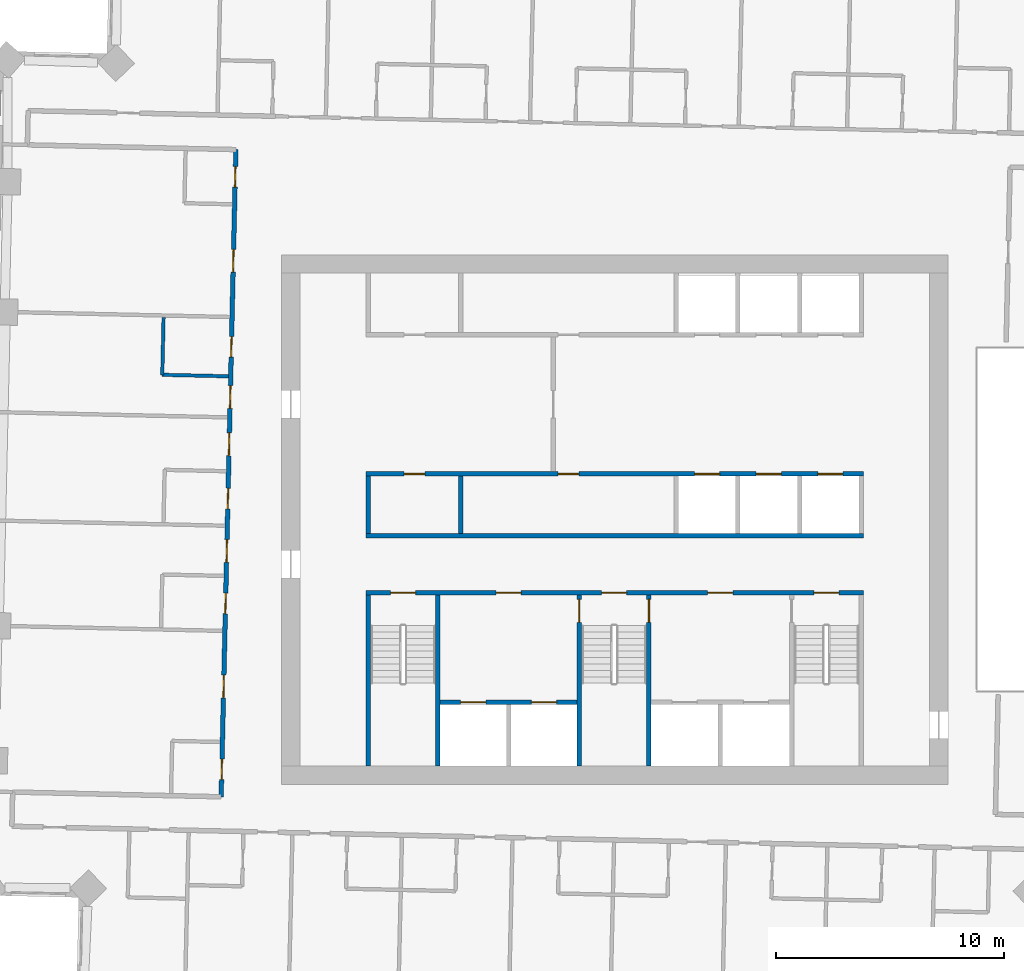
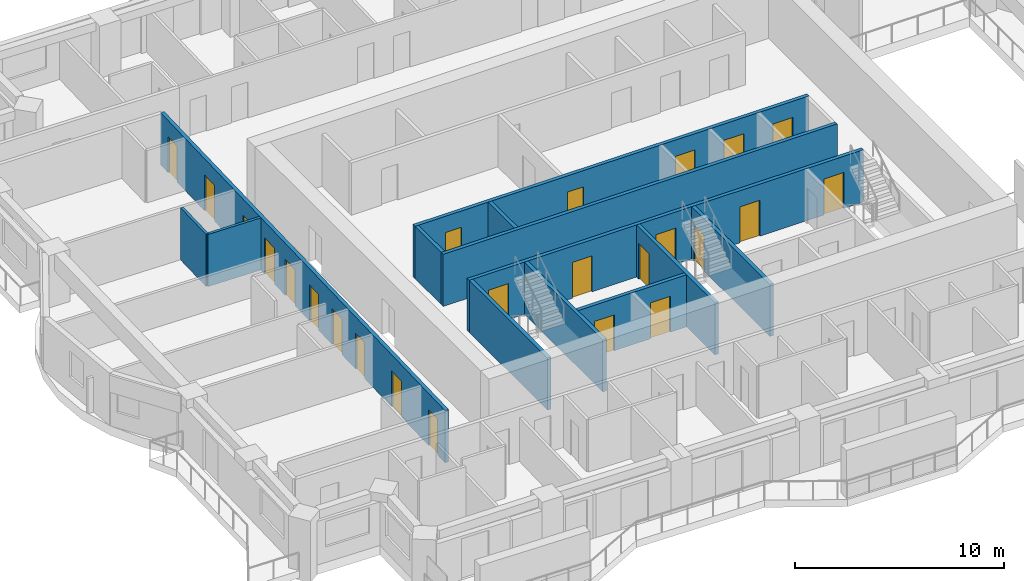
# One storey, part 6 of 14: 24 doors, 13 walls, 24 openings.
"""IFC4 building model written with IfcOpenShell, lengths in metres."""

import ifcopenshell
import ifcopenshell.guid

model = None  # the IFC model being written
_history = None  # IfcOwnerHistory: only IFC2X3 demands one
_inside = {}  # id of a spatial element -> (the spatial element, [elements in it])
_under = {}  # id of a project, library or spatial element -> (it, [spatial elements below it])
_declared = {}  # id of a project -> (the project, [libraries it declares])
_typed = {}  # id of a type object -> (the type object, [elements of that type])
_made_of = {}  # id of a material, layer set ... -> (it, [elements and type objects made of it])


def new_model(schema):
    """Start an empty IFC model of exactly this schema.

    Asked for "IFC4X3", IfcOpenShell would pick the latest addendum, in which some entities
    have other attributes; the version numbers below select the first issue.
    IFC2X3 requires an IfcOwnerHistory on every rooted entity: one is made here for all.
    """
    global model, _history
    if schema == "IFC4X3":
        model = ifcopenshell.file(schema_version=(4, 3, 0, 0))
    else:
        model = ifcopenshell.file(schema=schema)
    _inside.clear()
    _under.clear()
    _declared.clear()
    _typed.clear()
    _made_of.clear()
    _history = None
    if model.schema == "IFC2X3":
        org = make("IfcOrganization", Name="unknown")
        user = make(
            "IfcPersonAndOrganization",
            ThePerson=make("IfcPerson", FamilyName="unknown"),
            TheOrganization=org,
        )
        app = make(
            "IfcApplication",
            ApplicationDeveloper=org,
            Version="unknown",
            ApplicationFullName="unknown",
            ApplicationIdentifier="unknown",
        )
        _history = make(
            "IfcOwnerHistory",
            OwningUser=user,
            OwningApplication=app,
            ChangeAction="ADDED",
            CreationDate=0,
        )
    return model


def make(cls, **values):
    """One entity of the class cls with the attributes given. An attribute that is None is left unset."""
    return model.create_entity(
        cls, **{name: value for name, value in values.items() if value is not None}
    )


def rooted(cls, **values):
    """An entity with a GlobalId (a new one), such as an element, a storey or a relation."""
    return make(cls, GlobalId=ifcopenshell.guid.new(), OwnerHistory=_history, **values)


def si_unit(unit_type, name, prefix=None):
    """IfcSIUnit, for example si_unit("LENGTHUNIT", "METRE", prefix="MILLI")."""
    return make("IfcSIUnit", UnitType=unit_type, Prefix=prefix, Name=name)


def assignment(units):
    """IfcUnitAssignment: the units of a project."""
    return None if units is None else make("IfcUnitAssignment", Units=units)


def point(xyz):
    """IfcCartesianPoint."""
    return None if xyz is None else make("IfcCartesianPoint", Coordinates=xyz)


def direction(xyz):
    """IfcDirection."""
    return None if xyz is None else make("IfcDirection", DirectionRatios=xyz)


def frame(location, z_axis=None, x_axis=None):
    """IfcAxis2Placement3D, a coordinate frame: its origin and axes. An axis left out is left unset."""
    return make(
        "IfcAxis2Placement3D",
        Location=point(location),
        Axis=direction(z_axis),
        RefDirection=direction(x_axis),
    )


def frame_2d(location, x_axis=None):
    """IfcAxis2Placement2D, a coordinate frame in the plane: its origin and x axis."""
    return make(
        "IfcAxis2Placement2D", Location=point(location), RefDirection=direction(x_axis)
    )


def origin():
    """The frame at (0, 0, 0) with its axes left unset."""
    return frame((0.0, 0.0, 0.0))


def place(relative_to, where):
    """IfcLocalPlacement: puts the frame where relative to a parent placement (None: the world)."""
    return make(
        "IfcLocalPlacement", PlacementRelTo=relative_to, RelativePlacement=where
    )


def context(
    kind, dimensions, precision=None, world=None, true_north=None, identifier=None
):
    """IfcGeometricRepresentationContext, for example the 3D "Model" context."""
    return make(
        "IfcGeometricRepresentationContext",
        ContextIdentifier=identifier,
        ContextType=kind,
        CoordinateSpaceDimension=dimensions,
        Precision=precision,
        WorldCoordinateSystem=world,
        TrueNorth=true_north,
    )


def subcontext(parent, identifier, kind, view, scale=None):
    """IfcGeometricRepresentationSubContext, for example "Body" below "Model"."""
    return make(
        "IfcGeometricRepresentationSubContext",
        ContextIdentifier=identifier,
        ContextType=kind,
        ParentContext=parent,
        TargetScale=scale,
        TargetView=view,
    )


def project(units=None, contexts=None):
    """IfcProject with its units and contexts."""
    return rooted(
        "IfcProject",
        Name="project",
        RepresentationContexts=contexts,
        UnitsInContext=assignment(units),
    )


def spatial(cls, under=None, at=None, **own):
    """A site, building, storey or space (cls), placed at a placement, below another one or the project."""
    s = rooted(cls, ObjectPlacement=at, **own)
    if under is not None:
        _under.setdefault(under.id(), (under, []))[1].append(s)
    return s


def profile(cls, at=None, kind="AREA", **sizes):
    """A parametric profile (cls). Its sizes go by their IFC names, for example OverallWidth=200.0."""
    return make(cls, ProfileType=kind, Position=at, **sizes)


def rectangle(**sizes):
    """IfcRectangleProfileDef."""
    return profile("IfcRectangleProfileDef", **sizes)


def extrude(swept, where, along, depth):
    """IfcExtrudedAreaSolid: the profile swept, set in the frame where, extruded along a direction by depth."""
    return make(
        "IfcExtrudedAreaSolid",
        SweptArea=swept,
        Position=where,
        ExtrudedDirection=direction(along),
        Depth=depth,
    )


def shape(context_of_items, identifier, shape_type, items):
    """IfcShapeRepresentation: the items that make up one representation, for example the "Body"."""
    return make(
        "IfcShapeRepresentation",
        ContextOfItems=context_of_items,
        RepresentationIdentifier=identifier,
        RepresentationType=shape_type,
        Items=items,
    )


def material(Name=None, Category=None):
    """IfcMaterial."""
    return make("IfcMaterial", Name=Name, Category=Category)


def layer(
    of_material, thickness, ventilated=None, Name=None, Category=None, Priority=None
):
    """IfcMaterialLayer: one layer of a wall or slab, of a material (None: an air gap)."""
    return make(
        "IfcMaterialLayer",
        Material=of_material,
        LayerThickness=thickness,
        IsVentilated=ventilated,
        Name=Name,
        Category=Category,
        Priority=Priority,
    )


def layer_set(layers, Name=None):
    """IfcMaterialLayerSet."""
    return make("IfcMaterialLayerSet", MaterialLayers=layers, LayerSetName=Name)


def made_of(thing, what):
    """Note that an element or type object is made of a material, layer set ...; save() writes the relation."""
    if what is not None:
        _made_of.setdefault(what.id(), (what, []))[1].append(thing)
    return thing


def type_object(cls, material=None, **own):
    """A type object (cls), such as IfcWallType, which elements share."""
    return made_of(rooted(cls, **own), material)


def element(
    cls,
    number,
    at=None,
    inside=None,
    cuts=None,
    type_object=None,
    material=None,
    context=None,
    identifier="Body",
    shape_type=None,
    held_by="IfcProductDefinitionShape",
    body=None,
    shapes=None,
    **own,
):
    """One element of the class cls, such as IfcWall. Its Tag is "e" and its number.

    at: its placement. inside: the storey or other place that contains it. cuts: it is an
    opening in that element (IfcRelVoidsElement). A single representation is given by context,
    identifier, shape_type and body (its items); several are given by shapes. held_by: the class
    of the entity that holds the representations. save() writes the other relations.
    """
    e = rooted(cls, Tag="e%d" % number, ObjectPlacement=at, **own)
    if body is not None:
        shapes = [shape(context, identifier, shape_type, body)]
    if shapes is not None:
        e.Representation = make(held_by, Representations=shapes)
    if inside is not None:
        _inside.setdefault(inside.id(), (inside, []))[1].append(e)
    if cuts is not None:
        rooted(
            "IfcRelVoidsElement", RelatingBuildingElement=cuts, RelatedOpeningElement=e
        )
    if type_object is not None:
        _typed.setdefault(type_object.id(), (type_object, []))[1].append(e)
    return made_of(e, material)


def fill(opening, filler):
    """IfcRelFillsElement: the door or window that sits in an opening."""
    return rooted(
        "IfcRelFillsElement",
        RelatingOpeningElement=opening,
        RelatedBuildingElement=filler,
    )


def aggregate(whole, parts):
    """IfcRelAggregates: a whole, such as a stair, and the parts it consists of."""
    return rooted("IfcRelAggregates", RelatingObject=whole, RelatedObjects=parts)


def save(model, path):
    """Write the relations noted so far, then the file.

    IfcRelAggregates (storeys below a building ...), IfcRelContainedInSpatialStructure (elements
    in a storey), IfcRelDefinesByType, IfcRelAssociatesMaterial and IfcRelDeclares: one each for
    every whole, place, type object, material and project.
    """
    for whole, parts in _under.values():
        aggregate(whole, parts)
    for where, things in _inside.values():
        rooted(
            "IfcRelContainedInSpatialStructure",
            RelatedElements=things,
            RelatingStructure=where,
        )
    for kind, things in _typed.values():
        rooted("IfcRelDefinesByType", RelatedObjects=things, RelatingType=kind)
    for what, things in _made_of.values():
        rooted("IfcRelAssociatesMaterial", RelatedObjects=things, RelatingMaterial=what)
    for by, libraries in _declared.values():
        rooted("IfcRelDeclares", RelatingContext=by, RelatedDefinitions=libraries)
    model.write(path)


model = new_model("IFC4")

# Units and contexts
model_context = context("Model", 3, precision=1e-05, world=origin(), true_north=direction((0.0, 1.0)))
body_context = subcontext(model_context, "Body", "Model", "MODEL_VIEW")
ifc_project = project(units=[si_unit("LENGTHUNIT", "METRE"), si_unit("AREAUNIT", "SQUARE_METRE"), si_unit("VOLUMEUNIT", "CUBIC_METRE"), si_unit("PLANEANGLEUNIT", "RADIAN"), si_unit("MASSUNIT", "GRAM", prefix="KILO")], contexts=[model_context])

# Site, building, storey
site_placement = place(None, origin())
site = spatial("IfcSite", under=ifc_project, at=site_placement, CompositionType="ELEMENT")
building_placement = place(site_placement, origin())
building = spatial("IfcBuilding", under=site, at=building_placement, Name="Mangrove Gate Tower", CompositionType="ELEMENT")
storey_placement = place(building_placement, frame((0.0, 0.0, 205.10009765625)))
storey = spatial("IfcBuildingStorey", under=building, at=storey_placement, Name="L52", CompositionType="ELEMENT", Elevation=205.10009765625)

# Walls
ifc_material_1 = material(Name="Concrete C32/40", Category="concrete")
ifc_layer_1 = layer(ifc_material_1, 0.199951171875)
ifc_layer_set_1 = layer_set([ifc_layer_1], Name="Core room wall 200 C32/40")
wall_type_1 = type_object("IfcWallType", Name="Core room wall 200 C32/40", PredefinedType="STANDARD", material=ifc_layer_set_1)
for number, where, z_axis, x_axis, name in (
    (1, (-10.800048828125, -0.60009765625, 0.0), (0.0, 0.0, 1.0), (0.0, 1.0, 0.0), "WALL-L52-CORE-19"),
    (2, (-6.75, -0.60009765625, 0.0), (0.0, 0.0, 1.0), (0.0, 1.0, 0.0), "WALL-L52-CORE-20"),
):
    element("IfcWall", number, at=place(storey_placement, frame(where, z_axis=z_axis, x_axis=x_axis)), inside=storey, type_object=wall_type_1, Name=name, PredefinedType="STANDARD", context=body_context, shape_type="SweptSolid", body=[
        extrude(rectangle(XDim=2.5, YDim=0.199951171875, at=frame_2d((1.25, 0.0))), origin(), (0.0, 0.0, 1.0), 3.0498046875),
    ])
ifc_material_2 = material(Name="Concrete C60/75", Category="concrete")
ifc_layer_2 = layer(ifc_material_2, 0.199951171875)
ifc_layer_set_2 = layer_set([ifc_layer_2], Name="Core shaft wall 200 C60/75")
wall_type_2 = type_object("IfcWallType", Name="Core shaft wall 200 C60/75", PredefinedType="SHEAR", material=ifc_layer_set_2)
wall_1_placement = place(storey_placement, frame((-10.89990234375, -0.699951171875, 0.0), z_axis=(0.0, 0.0, 1.0), x_axis=(1.0, 0.0, 0.0)))
element("IfcWall", 3, at=wall_1_placement, inside=storey, type_object=wall_type_2, Name="WALL-L52-CORE-6", PredefinedType="SHEAR", context=body_context, shape_type="SweptSolid", body=[
    extrude(rectangle(XDim=21.7998046875, YDim=0.199951171875, at=frame_2d((10.89990234375, 0.0))), origin(), (0.0, 0.0, 1.0), 3.0498046875),
])

# Wall, openings, doors
wall_2_placement = place(storey_placement, frame((-10.89990234375, 2.0, 0.0), z_axis=(0.0, 0.0, 1.0), x_axis=(1.0, 0.0, 0.0)))
wall_2 = element("IfcWall", 4, at=wall_2_placement, inside=storey, type_object=wall_type_2, Name="WALL-L52-CORE-7", PredefinedType="SHEAR", context=body_context, shape_type="SweptSolid", body=[
    extrude(rectangle(XDim=21.7998046875, YDim=0.199951171875, at=frame_2d((10.89990234375, 0.0))), origin(), (0.0, 0.0, 1.0), 3.0498046875),
])
opening_1_placement = place(wall_2_placement, frame((14.39990234375, 0.0, 0.0)))
opening_1 = element("IfcOpeningElement", 5, at=opening_1_placement, cuts=wall_2, Name="Opening LD", PredefinedType="OPENING", context=body_context, shape_type="SweptSolid", body=[
    extrude(rectangle(XDim=1.10009765625, YDim=2.10009765625, at=frame_2d((0.550048828125, 1.050048828125))), frame((0.0, 0.10986328125, 0.0), z_axis=(0.0, -1.0, 0.0), x_axis=(1.0, 0.0, 0.0)), (0.0, 0.0, 1.0), 0.219970703125),
])
opening_2_placement = place(wall_2_placement, frame((17.10009765625, 0.0, 0.0)))
opening_2 = element("IfcOpeningElement", 6, at=opening_2_placement, cuts=wall_2, Name="Opening LD", PredefinedType="OPENING", context=body_context, shape_type="SweptSolid", body=[
    extrude(rectangle(XDim=1.10009765625, YDim=2.10009765625, at=frame_2d((0.550048828125, 1.050048828125))), frame((0.0, 0.10986328125, 0.0), z_axis=(0.0, -1.0, 0.0), x_axis=(1.0, 0.0, 0.0)), (0.0, 0.0, 1.0), 0.219970703125),
])
opening_3_placement = place(wall_2_placement, frame((19.800048828125, 0.0, 0.0)))
opening_3 = element("IfcOpeningElement", 7, at=opening_3_placement, cuts=wall_2, Name="Opening LD", PredefinedType="OPENING", context=body_context, shape_type="SweptSolid", body=[
    extrude(rectangle(XDim=1.10009765625, YDim=2.10009765625, at=frame_2d((0.550048828125, 1.050048828125))), frame((0.0, 0.10986328125, 0.0), z_axis=(0.0, -1.0, 0.0), x_axis=(1.0, 0.0, 0.0)), (0.0, 0.0, 1.0), 0.219970703125),
])
opening_4_placement = place(wall_2_placement, frame((1.675048828125, 0.0, 0.0)))
opening_4 = element("IfcOpeningElement", 8, at=opening_4_placement, cuts=wall_2, Name="Opening KD", PredefinedType="OPENING", context=body_context, shape_type="SweptSolid", body=[
    extrude(rectangle(XDim=0.89990234375, YDim=2.10009765625, at=frame_2d((0.449951171875, 1.050048828125))), frame((0.0, 0.10986328125, 0.0), z_axis=(0.0, -1.0, 0.0), x_axis=(1.0, 0.0, 0.0)), (0.0, 0.0, 1.0), 0.219970703125),
])
opening_5_placement = place(wall_2_placement, frame((8.425048828125, 0.0, 0.0)))
opening_5 = element("IfcOpeningElement", 9, at=opening_5_placement, cuts=wall_2, Name="Opening RD", PredefinedType="OPENING", context=body_context, shape_type="SweptSolid", body=[
    extrude(rectangle(XDim=0.89990234375, YDim=2.10009765625, at=frame_2d((0.449951171875, 1.050048828125))), frame((0.0, 0.10986328125, 0.0), z_axis=(0.0, -1.0, 0.0), x_axis=(1.0, 0.0, 0.0)), (0.0, 0.0, 1.0), 0.219970703125),
])
ifc_material_3 = material(Name="Fire-rated steel door set", Category="steel")
door_type_1 = type_object("IfcDoorType", Name="Core room door FD30S 900x2100", OperationType="SINGLE_SWING_RIGHT", PredefinedType="DOOR", material=ifc_material_3)
door_1_placement = place(opening_4_placement, origin())
door_1 = element("IfcDoor", 10, at=door_1_placement, inside=storey, type_object=door_type_1, Name="Core room door Refuse store", OperationType="SINGLE_SWING_RIGHT", OverallHeight=2.10009765625, OverallWidth=0.89990234375, PredefinedType="DOOR", context=body_context, shape_type="SweptSolid", body=[
    extrude(rectangle(XDim=0.89990234375, YDim=2.10009765625, at=frame_2d((0.449951171875, 1.050048828125))), frame((0.0, 0.02490234375, 0.0), z_axis=(0.0, -1.0, 0.0), x_axis=(1.0, 0.0, 0.0)), (0.0, 0.0, 1.0), 0.050048828125),
])
fill(opening_4, door_1)
ifc_material_4 = material(Name="Stainless steel 316", Category="steel")
door_type_2 = type_object("IfcDoorType", Name="Lift landing door 1100x2100", OperationType="SLIDING_TO_LEFT", PredefinedType="DOOR", material=ifc_material_4)
door_2_placement = place(opening_1_placement, origin())
door_2 = element("IfcDoor", 11, at=door_2_placement, inside=storey, type_object=door_type_2, Name="Landing door LD M01", OperationType="SLIDING_TO_LEFT", OverallHeight=2.10009765625, OverallWidth=1.10009765625, PredefinedType="DOOR", context=body_context, shape_type="SweptSolid", body=[
    extrude(rectangle(XDim=1.10009765625, YDim=2.10009765625, at=frame_2d((0.550048828125, 1.050048828125))), frame((0.0, 0.02490234375, 0.0), z_axis=(0.0, -1.0, 0.0), x_axis=(1.0, 0.0, 0.0)), (0.0, 0.0, 1.0), 0.050048828125),
])
fill(opening_1, door_2)
door_3_placement = place(opening_2_placement, origin())
door_3 = element("IfcDoor", 12, at=door_3_placement, inside=storey, type_object=door_type_2, Name="Landing door LD M02", OperationType="SLIDING_TO_LEFT", OverallHeight=2.10009765625, OverallWidth=1.10009765625, PredefinedType="DOOR", context=body_context, shape_type="SweptSolid", body=[
    extrude(rectangle(XDim=1.10009765625, YDim=2.10009765625, at=frame_2d((0.550048828125, 1.050048828125))), frame((0.0, 0.02490234375, 0.0), z_axis=(0.0, -1.0, 0.0), x_axis=(1.0, 0.0, 0.0)), (0.0, 0.0, 1.0), 0.050048828125),
])
fill(opening_2, door_3)
door_4_placement = place(opening_3_placement, origin())
door_4 = element("IfcDoor", 13, at=door_4_placement, inside=storey, type_object=door_type_2, Name="Landing door LD M03", OperationType="SLIDING_TO_LEFT", OverallHeight=2.10009765625, OverallWidth=1.10009765625, PredefinedType="DOOR", context=body_context, shape_type="SweptSolid", body=[
    extrude(rectangle(XDim=1.10009765625, YDim=2.10009765625, at=frame_2d((0.550048828125, 1.050048828125))), frame((0.0, 0.02490234375, 0.0), z_axis=(0.0, -1.0, 0.0), x_axis=(1.0, 0.0, 0.0)), (0.0, 0.0, 1.0), 0.050048828125),
])
fill(opening_3, door_4)
ifc_material_5 = material(Name="Fire-rated steel door set", Category="steel")
door_type_3 = type_object("IfcDoorType", Name="Riser door FD30S 900x2100", OperationType="SINGLE_SWING_LEFT", PredefinedType="DOOR", material=ifc_material_5)
door_5_placement = place(opening_5_placement, origin())
door_5 = element("IfcDoor", 14, at=door_5_placement, inside=storey, type_object=door_type_3, Name="Riser door Electrical room", OperationType="SINGLE_SWING_LEFT", OverallHeight=2.10009765625, OverallWidth=0.89990234375, PredefinedType="DOOR", context=body_context, shape_type="SweptSolid", body=[
    extrude(rectangle(XDim=0.89990234375, YDim=2.10009765625, at=frame_2d((0.449951171875, 1.050048828125))), frame((0.0, 0.02490234375, 0.0), z_axis=(0.0, -1.0, 0.0), x_axis=(1.0, 0.0, 0.0)), (0.0, 0.0, 1.0), 0.050048828125),
])
fill(opening_5, door_5)

wall_3_placement = place(storey_placement, frame((-7.64990234375, -8.0, 0.0), z_axis=(0.0, 0.0, 1.0), x_axis=(1.0, 0.0, 0.0)))
wall_3 = element("IfcWall", 15, at=wall_3_placement, inside=storey, type_object=wall_type_2, Name="WALL-L52-CORE-15", PredefinedType="SHEAR", context=body_context, shape_type="SweptSolid", body=[
    extrude(rectangle(XDim=6.0, YDim=0.199951171875, at=frame_2d((3.0, 0.0))), origin(), (0.0, 0.0, 1.0), 3.0498046875),
])
opening_6_placement = place(wall_3_placement, frame((0.89990234375, 0.0, 0.0)))
opening_6 = element("IfcOpeningElement", 16, at=opening_6_placement, cuts=wall_3, Name="Opening LD", PredefinedType="OPENING", context=body_context, shape_type="SweptSolid", body=[
    extrude(rectangle(XDim=1.10009765625, YDim=2.10009765625, at=frame_2d((0.550048828125, 1.050048828125))), frame((0.0, 0.10986328125, 0.0), z_axis=(0.0, -1.0, 0.0), x_axis=(1.0, 0.0, 0.0)), (0.0, 0.0, 1.0), 0.219970703125),
])
opening_7_placement = place(wall_3_placement, frame((4.0, 0.0, 0.0)))
opening_7 = element("IfcOpeningElement", 17, at=opening_7_placement, cuts=wall_3, Name="Opening LD", PredefinedType="OPENING", context=body_context, shape_type="SweptSolid", body=[
    extrude(rectangle(XDim=1.10009765625, YDim=2.10009765625, at=frame_2d((0.550048828125, 1.050048828125))), frame((0.0, 0.10986328125, 0.0), z_axis=(0.0, -1.0, 0.0), x_axis=(1.0, 0.0, 0.0)), (0.0, 0.0, 1.0), 0.219970703125),
])
door_6_placement = place(opening_6_placement, origin())
door_6 = element("IfcDoor", 18, at=door_6_placement, inside=storey, type_object=door_type_2, Name="Landing door LD SVL1", OperationType="SLIDING_TO_LEFT", OverallHeight=2.10009765625, OverallWidth=1.10009765625, PredefinedType="DOOR", context=body_context, shape_type="SweptSolid", body=[
    extrude(rectangle(XDim=1.10009765625, YDim=2.10009765625, at=frame_2d((0.550048828125, 1.050048828125))), frame((0.0, 0.02490234375, 0.0), z_axis=(0.0, -1.0, 0.0), x_axis=(1.0, 0.0, 0.0)), (0.0, 0.0, 1.0), 0.050048828125),
])
fill(opening_6, door_6)
door_7_placement = place(opening_7_placement, origin())
door_7 = element("IfcDoor", 19, at=door_7_placement, inside=storey, type_object=door_type_2, Name="Landing door LD SVL2", OperationType="SLIDING_TO_LEFT", OverallHeight=2.10009765625, OverallWidth=1.10009765625, PredefinedType="DOOR", context=body_context, shape_type="SweptSolid", body=[
    extrude(rectangle(XDim=1.10009765625, YDim=2.10009765625, at=frame_2d((0.550048828125, 1.050048828125))), frame((0.0, 0.02490234375, 0.0), z_axis=(0.0, -1.0, 0.0), x_axis=(1.0, 0.0, 0.0)), (0.0, 0.0, 1.0), 0.050048828125),
])
fill(opening_7, door_7)

ifc_material_6 = material(Name="Concrete C60/75", Category="concrete")
ifc_layer_3 = layer(ifc_material_6, 0.199951171875)
ifc_layer_set_3 = layer_set([ifc_layer_3], Name="Core stair wall 200 C60/75")
wall_type_3 = type_object("IfcWallType", Name="Core stair wall 200 C60/75", PredefinedType="SHEAR", material=ifc_layer_set_3)
wall_4_placement = place(storey_placement, frame((-10.89990234375, -3.199951171875, 0.0), z_axis=(0.0, 0.0, 1.0), x_axis=(1.0, 0.0, 0.0)))
wall_4 = element("IfcWall", 20, at=wall_4_placement, inside=storey, type_object=wall_type_3, Name="WALL-L52-CORE-5", PredefinedType="SHEAR", context=body_context, shape_type="SweptSolid", body=[
    extrude(rectangle(XDim=21.7998046875, YDim=0.199951171875, at=frame_2d((10.89990234375, 0.0))), origin(), (0.0, 0.0, 1.0), 3.0498046875),
])
opening_8_placement = place(wall_4_placement, frame((1.074951171875, 0.0, 0.0)))
opening_8 = element("IfcOpeningElement", 21, at=opening_8_placement, cuts=wall_4, Name="Opening STD11", PredefinedType="OPENING", context=body_context, shape_type="SweptSolid", body=[
    extrude(rectangle(XDim=1.10009765625, YDim=2.10009765625, at=frame_2d((0.550048828125, 1.050048828125))), frame((0.0, 0.10986328125, 0.0), z_axis=(0.0, -1.0, 0.0), x_axis=(1.0, 0.0, 0.0)), (0.0, 0.0, 1.0), 0.219970703125),
])
opening_9_placement = place(wall_4_placement, frame((10.324951171875, 0.0, 0.0)))
opening_9 = element("IfcOpeningElement", 22, at=opening_9_placement, cuts=wall_4, Name="Opening STD11", PredefinedType="OPENING", context=body_context, shape_type="SweptSolid", body=[
    extrude(rectangle(XDim=1.10009765625, YDim=2.10009765625, at=frame_2d((0.550048828125, 1.050048828125))), frame((0.0, 0.10986328125, 0.0), z_axis=(0.0, -1.0, 0.0), x_axis=(1.0, 0.0, 0.0)), (0.0, 0.0, 1.0), 0.219970703125),
])
opening_10_placement = place(wall_4_placement, frame((19.625, 0.0, 0.0)))
opening_10 = element("IfcOpeningElement", 23, at=opening_10_placement, cuts=wall_4, Name="Opening STD11", PredefinedType="OPENING", context=body_context, shape_type="SweptSolid", body=[
    extrude(rectangle(XDim=1.10009765625, YDim=2.10009765625, at=frame_2d((0.550048828125, 1.050048828125))), frame((0.0, 0.10986328125, 0.0), z_axis=(0.0, -1.0, 0.0), x_axis=(1.0, 0.0, 0.0)), (0.0, 0.0, 1.0), 0.219970703125),
])
opening_11_placement = place(wall_4_placement, frame((5.699951171875, 0.0, 0.0)))
opening_11 = element("IfcOpeningElement", 24, at=opening_11_placement, cuts=wall_4, Name="Opening FL", PredefinedType="OPENING", context=body_context, shape_type="SweptSolid", body=[
    extrude(rectangle(XDim=1.10009765625, YDim=2.10009765625, at=frame_2d((0.550048828125, 1.050048828125))), frame((0.0, 0.10986328125, 0.0), z_axis=(0.0, -1.0, 0.0), x_axis=(1.0, 0.0, 0.0)), (0.0, 0.0, 1.0), 0.219970703125),
])
opening_12_placement = place(wall_4_placement, frame((14.97509765625, 0.0, 0.0)))
opening_12 = element("IfcOpeningElement", 25, at=opening_12_placement, cuts=wall_4, Name="Opening FL", PredefinedType="OPENING", context=body_context, shape_type="SweptSolid", body=[
    extrude(rectangle(XDim=1.10009765625, YDim=2.10009765625, at=frame_2d((0.550048828125, 1.050048828125))), frame((0.0, 0.10986328125, 0.0), z_axis=(0.0, -1.0, 0.0), x_axis=(1.0, 0.0, 0.0)), (0.0, 0.0, 1.0), 0.219970703125),
])
ifc_material_7 = material(Name="Fire-rated steel door set", Category="steel")
door_type_4 = type_object("IfcDoorType", Name="Lobby door FD60 1100x2100", OperationType="SINGLE_SWING_LEFT", PredefinedType="DOOR", material=ifc_material_7)
door_8_placement = place(opening_11_placement, origin())
door_8 = element("IfcDoor", 26, at=door_8_placement, inside=storey, type_object=door_type_4, Name="Lobby door service lobby", OperationType="SINGLE_SWING_LEFT", OverallHeight=2.10009765625, OverallWidth=1.10009765625, PredefinedType="DOOR", context=body_context, shape_type="SweptSolid", body=[
    extrude(rectangle(XDim=1.10009765625, YDim=2.10009765625, at=frame_2d((0.550048828125, 1.050048828125))), frame((0.0, 0.02490234375, 0.0), z_axis=(0.0, -1.0, 0.0), x_axis=(1.0, 0.0, 0.0)), (0.0, 0.0, 1.0), 0.050048828125),
])
fill(opening_11, door_8)
door_9_placement = place(opening_12_placement, origin())
door_9 = element("IfcDoor", 27, at=door_9_placement, inside=storey, type_object=door_type_4, Name="Lobby door fire-fighting lobby", OperationType="SINGLE_SWING_LEFT", OverallHeight=2.10009765625, OverallWidth=1.10009765625, PredefinedType="DOOR", context=body_context, shape_type="SweptSolid", body=[
    extrude(rectangle(XDim=1.10009765625, YDim=2.10009765625, at=frame_2d((0.550048828125, 1.050048828125))), frame((0.0, 0.02490234375, 0.0), z_axis=(0.0, -1.0, 0.0), x_axis=(1.0, 0.0, 0.0)), (0.0, 0.0, 1.0), 0.050048828125),
])
fill(opening_12, door_9)
ifc_material_8 = material(Name="Fire-rated steel door set", Category="steel")
door_type_5 = type_object("IfcDoorType", Name="Stair door FD60 1100x2100", OperationType="SINGLE_SWING_RIGHT", PredefinedType="DOOR", material=ifc_material_8)
door_10_placement = place(opening_8_placement, origin())
door_10 = element("IfcDoor", 28, at=door_10_placement, inside=storey, type_object=door_type_5, Name="Stair door Stair 1", OperationType="SINGLE_SWING_RIGHT", OverallHeight=2.10009765625, OverallWidth=1.10009765625, PredefinedType="DOOR", context=body_context, shape_type="SweptSolid", body=[
    extrude(rectangle(XDim=1.10009765625, YDim=2.10009765625, at=frame_2d((0.550048828125, 1.050048828125))), frame((0.0, 0.02490234375, 0.0), z_axis=(0.0, -1.0, 0.0), x_axis=(1.0, 0.0, 0.0)), (0.0, 0.0, 1.0), 0.050048828125),
])
fill(opening_8, door_10)
door_11_placement = place(opening_9_placement, origin())
door_11 = element("IfcDoor", 29, at=door_11_placement, inside=storey, type_object=door_type_5, Name="Stair door Stair 2", OperationType="SINGLE_SWING_RIGHT", OverallHeight=2.10009765625, OverallWidth=1.10009765625, PredefinedType="DOOR", context=body_context, shape_type="SweptSolid", body=[
    extrude(rectangle(XDim=1.10009765625, YDim=2.10009765625, at=frame_2d((0.550048828125, 1.050048828125))), frame((0.0, 0.02490234375, 0.0), z_axis=(0.0, -1.0, 0.0), x_axis=(1.0, 0.0, 0.0)), (0.0, 0.0, 1.0), 0.050048828125),
])
fill(opening_9, door_11)
door_12_placement = place(opening_10_placement, origin())
door_12 = element("IfcDoor", 30, at=door_12_placement, inside=storey, type_object=door_type_5, Name="Stair door Stair 3", OperationType="SINGLE_SWING_RIGHT", OverallHeight=2.10009765625, OverallWidth=1.10009765625, PredefinedType="DOOR", context=body_context, shape_type="SweptSolid", body=[
    extrude(rectangle(XDim=1.10009765625, YDim=2.10009765625, at=frame_2d((0.550048828125, 1.050048828125))), frame((0.0, 0.02490234375, 0.0), z_axis=(0.0, -1.0, 0.0), x_axis=(1.0, 0.0, 0.0)), (0.0, 0.0, 1.0), 0.050048828125),
])
fill(opening_10, door_12)

# Walls
for number, where, z_axis, x_axis, name in (
    (31, (-10.800048828125, -10.800048828125, 0.0), (0.0, 0.0, 1.0), (0.0, 1.0, 0.0), "WALL-L52-CORE-9"),
    (32, (-7.75, -10.800048828125, 0.0), (0.0, 0.0, 1.0), (0.0, 1.0, 0.0), "WALL-L52-CORE-10"),
):
    element("IfcWall", number, at=place(storey_placement, frame(where, z_axis=z_axis, x_axis=x_axis)), inside=storey, type_object=wall_type_3, Name=name, PredefinedType="SHEAR", context=body_context, shape_type="SweptSolid", body=[
        extrude(rectangle(XDim=7.5, YDim=0.199951171875, at=frame_2d((3.75, 0.0))), origin(), (0.0, 0.0, 1.0), 3.0498046875),
    ])

# Wall, opening, door
wall_5_placement = place(storey_placement, frame((-1.550048828125, -10.800048828125, 0.0), z_axis=(0.0, 0.0, 1.0), x_axis=(0.0, 1.0, 0.0)))
wall_5 = element("IfcWall", 33, at=wall_5_placement, inside=storey, type_object=wall_type_3, Name="WALL-L52-CORE-11", PredefinedType="SHEAR", context=body_context, shape_type="SweptSolid", body=[
    extrude(rectangle(XDim=7.5, YDim=0.199951171875, at=frame_2d((3.75, 0.0))), origin(), (0.0, 0.0, 1.0), 3.0498046875),
])
opening_13_placement = place(wall_5_placement, frame((6.300048828125, 0.0, 0.0)))
opening_13 = element("IfcOpeningElement", 34, at=opening_13_placement, cuts=wall_5, Name="Opening STD10", PredefinedType="OPENING", context=body_context, shape_type="SweptSolid", body=[
    extrude(rectangle(XDim=1.0, YDim=2.10009765625, at=frame_2d((0.5, 1.050048828125))), frame((0.0, 0.10986328125, 0.0), z_axis=(0.0, -1.0, 0.0), x_axis=(1.0, 0.0, 0.0)), (0.0, 0.0, 1.0), 0.219970703125),
])
ifc_material_9 = material(Name="Fire-rated steel door set", Category="steel")
door_type_6 = type_object("IfcDoorType", Name="Stair door FD60 1000x2100", OperationType="SINGLE_SWING_RIGHT", PredefinedType="DOOR", material=ifc_material_9)
door_13_placement = place(opening_13_placement, origin())
door_13 = element("IfcDoor", 35, at=door_13_placement, inside=storey, type_object=door_type_6, Name="Stair door Stair 2 from service lobby", OperationType="SINGLE_SWING_RIGHT", OverallHeight=2.10009765625, OverallWidth=1.0, PredefinedType="DOOR", context=body_context, shape_type="SweptSolid", body=[
    extrude(rectangle(XDim=1.0, YDim=2.10009765625, at=frame_2d((0.5, 1.050048828125))), frame((0.0, 0.02490234375, 0.0), z_axis=(0.0, -1.0, 0.0), x_axis=(1.0, 0.0, 0.0)), (0.0, 0.0, 1.0), 0.050048828125),
])
fill(opening_13, door_13)

wall_6_placement = place(storey_placement, frame((1.5, -10.800048828125, 0.0), z_axis=(0.0, 0.0, 1.0), x_axis=(0.0, 1.0, 0.0)))
wall_6 = element("IfcWall", 36, at=wall_6_placement, inside=storey, type_object=wall_type_3, Name="WALL-L52-CORE-12", PredefinedType="SHEAR", context=body_context, shape_type="SweptSolid", body=[
    extrude(rectangle(XDim=7.5, YDim=0.199951171875, at=frame_2d((3.75, 0.0))), origin(), (0.0, 0.0, 1.0), 3.0498046875),
])
opening_14_placement = place(wall_6_placement, frame((6.300048828125, 0.0, 0.0)))
opening_14 = element("IfcOpeningElement", 37, at=opening_14_placement, cuts=wall_6, Name="Opening STD10", PredefinedType="OPENING", context=body_context, shape_type="SweptSolid", body=[
    extrude(rectangle(XDim=1.0, YDim=2.10009765625, at=frame_2d((0.5, 1.050048828125))), frame((0.0, 0.10986328125, 0.0), z_axis=(0.0, -1.0, 0.0), x_axis=(1.0, 0.0, 0.0)), (0.0, 0.0, 1.0), 0.219970703125),
])
door_14_placement = place(opening_14_placement, origin())
door_14 = element("IfcDoor", 38, at=door_14_placement, inside=storey, type_object=door_type_6, Name="Stair door Stair 2 from fire-fighting lobby", OperationType="SINGLE_SWING_RIGHT", OverallHeight=2.10009765625, OverallWidth=1.0, PredefinedType="DOOR", context=body_context, shape_type="SweptSolid", body=[
    extrude(rectangle(XDim=1.0, YDim=2.10009765625, at=frame_2d((0.5, 1.050048828125))), frame((0.0, 0.02490234375, 0.0), z_axis=(0.0, -1.0, 0.0), x_axis=(1.0, 0.0, 0.0)), (0.0, 0.0, 1.0), 0.050048828125),
])
fill(opening_14, door_14)

# Wall, openings, doors
ifc_material_10 = material(Name="Gypsum board on steel stud, EI 60", Category="steel")
ifc_layer_4 = layer(ifc_material_10, 0.199951171875)
ifc_layer_set_4 = layer_set([ifc_layer_4], Name="Corridor wall EI 60")
wall_type_4 = type_object("IfcWallType", Name="Corridor wall EI 60", PredefinedType="PARTITIONING", material=ifc_layer_set_4)
wall_7_placement = place(storey_placement, frame((-17.2470703125, -12.14892578125, 0.0), z_axis=(0.0, 0.0, 1.0), x_axis=(0.022698146637, 0.999742363881, 0.0)))
wall_7 = element("IfcWall", 39, at=wall_7_placement, inside=storey, type_object=wall_type_4, Name="WALL-L52-030", PredefinedType="PARTITIONING", context=body_context, shape_type="SweptSolid", body=[
    extrude(rectangle(XDim=28.374267578125, YDim=0.199951171875, at=frame_2d((14.18701171875, 0.0))), origin(), (0.0, 0.0, 1.0), 3.0498046875),
])
opening_15_placement = place(wall_7_placement, frame((23.0, 0.0, 0.0)))
opening_15 = element("IfcOpeningElement", 40, at=opening_15_placement, cuts=wall_7, Name="Opening AD", PredefinedType="OPENING", context=body_context, shape_type="SweptSolid", body=[
    extrude(rectangle(XDim=1.0, YDim=2.10009765625, at=frame_2d((0.5, 1.050048828125))), frame((0.0, 0.10986328125, 0.0), z_axis=(0.0, -1.0, 0.0), x_axis=(1.0, 0.0, 0.0)), (0.0, 0.0, 1.0), 0.219970703125),
])
opening_16_placement = place(wall_7_placement, frame((26.72412109375, 0.0, 0.0)))
opening_16 = element("IfcOpeningElement", 41, at=opening_16_placement, cuts=wall_7, Name="Opening SD", PredefinedType="OPENING", context=body_context, shape_type="SweptSolid", body=[
    extrude(rectangle(XDim=0.89990234375, YDim=2.10009765625, at=frame_2d((0.449951171875, 1.050048828125))), frame((0.0, 0.10986328125, 0.0), z_axis=(0.0, -1.0, 0.0), x_axis=(1.0, 0.0, 0.0)), (0.0, 0.0, 1.0), 0.219970703125),
])
opening_17_placement = place(wall_7_placement, frame((17.02490234375, 0.0, 0.0)))
opening_17 = element("IfcOpeningElement", 42, at=opening_17_placement, cuts=wall_7, Name="Opening AD", PredefinedType="OPENING", context=body_context, shape_type="SweptSolid", body=[
    extrude(rectangle(XDim=1.0, YDim=2.10009765625, at=frame_2d((0.5, 1.050048828125))), frame((0.0, 0.10986328125, 0.0), z_axis=(0.0, -1.0, 0.0), x_axis=(1.0, 0.0, 0.0)), (0.0, 0.0, 1.0), 0.219970703125),
])
opening_18_placement = place(wall_7_placement, frame((19.27490234375, 0.0, 0.0)))
opening_18 = element("IfcOpeningElement", 43, at=opening_18_placement, cuts=wall_7, Name="Opening SD", PredefinedType="OPENING", context=body_context, shape_type="SweptSolid", body=[
    extrude(rectangle(XDim=0.89990234375, YDim=2.10009765625, at=frame_2d((0.449951171875, 1.050048828125))), frame((0.0, 0.10986328125, 0.0), z_axis=(0.0, -1.0, 0.0), x_axis=(1.0, 0.0, 0.0)), (0.0, 0.0, 1.0), 0.219970703125),
])
opening_19_placement = place(wall_7_placement, frame((14.949951171875, 0.0, 0.0)))
opening_19 = element("IfcOpeningElement", 44, at=opening_19_placement, cuts=wall_7, Name="Opening AD", PredefinedType="OPENING", context=body_context, shape_type="SweptSolid", body=[
    extrude(rectangle(XDim=1.0, YDim=2.10009765625, at=frame_2d((0.5, 1.050048828125))), frame((0.0, 0.10986328125, 0.0), z_axis=(0.0, -1.0, 0.0), x_axis=(1.0, 0.0, 0.0)), (0.0, 0.0, 1.0), 0.219970703125),
])
opening_20_placement = place(wall_7_placement, frame((12.625, 0.0, 0.0)))
opening_20 = element("IfcOpeningElement", 45, at=opening_20_placement, cuts=wall_7, Name="Opening SD", PredefinedType="OPENING", context=body_context, shape_type="SweptSolid", body=[
    extrude(rectangle(XDim=0.89990234375, YDim=2.10009765625, at=frame_2d((0.449951171875, 1.050048828125))), frame((0.0, 0.10986328125, 0.0), z_axis=(0.0, -1.0, 0.0), x_axis=(1.0, 0.0, 0.0)), (0.0, 0.0, 1.0), 0.219970703125),
])
opening_21_placement = place(wall_7_placement, frame((10.27490234375, 0.0, 0.0)))
opening_21 = element("IfcOpeningElement", 46, at=opening_21_placement, cuts=wall_7, Name="Opening AD", PredefinedType="OPENING", context=body_context, shape_type="SweptSolid", body=[
    extrude(rectangle(XDim=1.0, YDim=2.10009765625, at=frame_2d((0.5, 1.050048828125))), frame((0.0, 0.10986328125, 0.0), z_axis=(0.0, -1.0, 0.0), x_axis=(1.0, 0.0, 0.0)), (0.0, 0.0, 1.0), 0.219970703125),
])
opening_22_placement = place(wall_7_placement, frame((8.02490234375, 0.0, 0.0)))
opening_22 = element("IfcOpeningElement", 47, at=opening_22_placement, cuts=wall_7, Name="Opening SD", PredefinedType="OPENING", context=body_context, shape_type="SweptSolid", body=[
    extrude(rectangle(XDim=0.89990234375, YDim=2.10009765625, at=frame_2d((0.449951171875, 1.050048828125))), frame((0.0, 0.10986328125, 0.0), z_axis=(0.0, -1.0, 0.0), x_axis=(1.0, 0.0, 0.0)), (0.0, 0.0, 1.0), 0.219970703125),
])
opening_23_placement = place(wall_7_placement, frame((4.3369140625, 0.0, 0.0)))
opening_23 = element("IfcOpeningElement", 48, at=opening_23_placement, cuts=wall_7, Name="Opening AD", PredefinedType="OPENING", context=body_context, shape_type="SweptSolid", body=[
    extrude(rectangle(XDim=1.0, YDim=2.10009765625, at=frame_2d((0.5, 1.050048828125))), frame((0.0, 0.10986328125, 0.0), z_axis=(0.0, -1.0, 0.0), x_axis=(1.0, 0.0, 0.0)), (0.0, 0.0, 1.0), 0.219970703125),
])
opening_24_placement = place(wall_7_placement, frame((0.75, 0.0, 0.0)))
opening_24 = element("IfcOpeningElement", 49, at=opening_24_placement, cuts=wall_7, Name="Opening SD", PredefinedType="OPENING", context=body_context, shape_type="SweptSolid", body=[
    extrude(rectangle(XDim=0.89990234375, YDim=2.10009765625, at=frame_2d((0.449951171875, 1.050048828125))), frame((0.0, 0.10986328125, 0.0), z_axis=(0.0, -1.0, 0.0), x_axis=(1.0, 0.0, 0.0)), (0.0, 0.0, 1.0), 0.219970703125),
])
ifc_material_11 = material(Name="Timber door leaf", Category="wood")
door_type_7 = type_object("IfcDoorType", Name="Amenity door 1000", OperationType="SINGLE_SWING_LEFT", PredefinedType="DOOR", material=ifc_material_11)
door_15_placement = place(opening_15_placement, origin())
door_15 = element("IfcDoor", 50, at=door_15_placement, inside=storey, type_object=door_type_7, Name="DOOR-L52-LNG-c5a", OperationType="SINGLE_SWING_LEFT", OverallHeight=2.10009765625, OverallWidth=1.0, PredefinedType="DOOR", context=body_context, shape_type="SweptSolid", body=[
    extrude(rectangle(XDim=1.0, YDim=2.10009765625, at=frame_2d((0.5, 1.050048828125))), frame((0.0, 0.02490234375, 0.0), z_axis=(0.0, -1.0, 0.0), x_axis=(1.0, 0.0, 0.0)), (0.0, 0.0, 1.0), 0.050048828125),
])
fill(opening_15, door_15)
door_16_placement = place(opening_17_placement, origin())
door_16 = element("IfcDoor", 51, at=door_16_placement, inside=storey, type_object=door_type_7, Name="DOOR-L52-STU-c5a", OperationType="SINGLE_SWING_RIGHT", OverallHeight=2.10009765625, OverallWidth=1.0, PredefinedType="DOOR", context=body_context, shape_type="SweptSolid", body=[
    extrude(rectangle(XDim=1.0, YDim=2.10009765625, at=frame_2d((0.5, 1.050048828125))), frame((0.0, 0.02490234375, 0.0), z_axis=(0.0, -1.0, 0.0), x_axis=(1.0, 0.0, 0.0)), (0.0, 0.0, 1.0), 0.050048828125),
])
fill(opening_17, door_16)
door_17_placement = place(opening_19_placement, origin())
door_17 = element("IfcDoor", 52, at=door_17_placement, inside=storey, type_object=door_type_7, Name="DOOR-L52-LNG-c5b", OperationType="SINGLE_SWING_LEFT", OverallHeight=2.10009765625, OverallWidth=1.0, PredefinedType="DOOR", context=body_context, shape_type="SweptSolid", body=[
    extrude(rectangle(XDim=1.0, YDim=2.10009765625, at=frame_2d((0.5, 1.050048828125))), frame((0.0, 0.02490234375, 0.0), z_axis=(0.0, -1.0, 0.0), x_axis=(1.0, 0.0, 0.0)), (0.0, 0.0, 1.0), 0.050048828125),
])
fill(opening_19, door_17)
door_18_placement = place(opening_21_placement, origin())
door_18 = element("IfcDoor", 53, at=door_18_placement, inside=storey, type_object=door_type_7, Name="DOOR-L52-GAM-c5b", OperationType="SINGLE_SWING_RIGHT", OverallHeight=2.10009765625, OverallWidth=1.0, PredefinedType="DOOR", context=body_context, shape_type="SweptSolid", body=[
    extrude(rectangle(XDim=1.0, YDim=2.10009765625, at=frame_2d((0.5, 1.050048828125))), frame((0.0, 0.02490234375, 0.0), z_axis=(0.0, -1.0, 0.0), x_axis=(1.0, 0.0, 0.0)), (0.0, 0.0, 1.0), 0.050048828125),
])
fill(opening_21, door_18)
door_19_placement = place(opening_23_placement, origin())
door_19 = element("IfcDoor", 54, at=door_19_placement, inside=storey, type_object=door_type_7, Name="DOOR-L52-LNG-c5c", OperationType="SINGLE_SWING_LEFT", OverallHeight=2.10009765625, OverallWidth=1.0, PredefinedType="DOOR", context=body_context, shape_type="SweptSolid", body=[
    extrude(rectangle(XDim=1.0, YDim=2.10009765625, at=frame_2d((0.5, 1.050048828125))), frame((0.0, 0.02490234375, 0.0), z_axis=(0.0, -1.0, 0.0), x_axis=(1.0, 0.0, 0.0)), (0.0, 0.0, 1.0), 0.050048828125),
])
fill(opening_23, door_19)
ifc_material_12 = material(Name="Timber door leaf", Category="wood")
door_type_8 = type_object("IfcDoorType", Name="Service room door 900", OperationType="SINGLE_SWING_LEFT", PredefinedType="DOOR", material=ifc_material_12)
door_20_placement = place(opening_16_placement, origin())
door_20 = element("IfcDoor", 55, at=door_20_placement, inside=storey, type_object=door_type_8, Name="DOOR-L52-LIN-c5a", OperationType="SINGLE_SWING_RIGHT", OverallHeight=2.10009765625, OverallWidth=0.89990234375, PredefinedType="DOOR", context=body_context, shape_type="SweptSolid", body=[
    extrude(rectangle(XDim=0.89990234375, YDim=2.10009765625, at=frame_2d((0.449951171875, 1.050048828125))), frame((0.0, 0.02490234375, 0.0), z_axis=(0.0, -1.0, 0.0), x_axis=(1.0, 0.0, 0.0)), (0.0, 0.0, 1.0), 0.050048828125),
])
fill(opening_16, door_20)
door_21_placement = place(opening_18_placement, origin())
door_21 = element("IfcDoor", 56, at=door_21_placement, inside=storey, type_object=door_type_8, Name="DOOR-L52-AWC-c5a", OperationType="SINGLE_SWING_LEFT", OverallHeight=2.10009765625, OverallWidth=0.89990234375, PredefinedType="DOOR", context=body_context, shape_type="SweptSolid", body=[
    extrude(rectangle(XDim=0.89990234375, YDim=2.10009765625, at=frame_2d((0.449951171875, 1.050048828125))), frame((0.0, 0.02490234375, 0.0), z_axis=(0.0, -1.0, 0.0), x_axis=(1.0, 0.0, 0.0)), (0.0, 0.0, 1.0), 0.050048828125),
])
fill(opening_18, door_21)
door_22_placement = place(opening_20_placement, origin())
door_22 = element("IfcDoor", 57, at=door_22_placement, inside=storey, type_object=door_type_8, Name="DOOR-L52-WC-c5a", OperationType="SINGLE_SWING_RIGHT", OverallHeight=2.10009765625, OverallWidth=0.89990234375, PredefinedType="DOOR", context=body_context, shape_type="SweptSolid", body=[
    extrude(rectangle(XDim=0.89990234375, YDim=2.10009765625, at=frame_2d((0.449951171875, 1.050048828125))), frame((0.0, 0.02490234375, 0.0), z_axis=(0.0, -1.0, 0.0), x_axis=(1.0, 0.0, 0.0)), (0.0, 0.0, 1.0), 0.050048828125),
])
fill(opening_20, door_22)
door_23_placement = place(opening_22_placement, origin())
door_23 = element("IfcDoor", 58, at=door_23_placement, inside=storey, type_object=door_type_8, Name="DOOR-L52-WC-c5b", OperationType="SINGLE_SWING_LEFT", OverallHeight=2.10009765625, OverallWidth=0.89990234375, PredefinedType="DOOR", context=body_context, shape_type="SweptSolid", body=[
    extrude(rectangle(XDim=0.89990234375, YDim=2.10009765625, at=frame_2d((0.449951171875, 1.050048828125))), frame((0.0, 0.02490234375, 0.0), z_axis=(0.0, -1.0, 0.0), x_axis=(1.0, 0.0, 0.0)), (0.0, 0.0, 1.0), 0.050048828125),
])
fill(opening_22, door_23)
door_24_placement = place(opening_24_placement, origin())
door_24 = element("IfcDoor", 59, at=door_24_placement, inside=storey, type_object=door_type_8, Name="DOOR-L52-LIN-c5b", OperationType="SINGLE_SWING_RIGHT", OverallHeight=2.10009765625, OverallWidth=0.89990234375, PredefinedType="DOOR", context=body_context, shape_type="SweptSolid", body=[
    extrude(rectangle(XDim=0.89990234375, YDim=2.10009765625, at=frame_2d((0.449951171875, 1.050048828125))), frame((0.0, 0.02490234375, 0.0), z_axis=(0.0, -1.0, 0.0), x_axis=(1.0, 0.0, 0.0)), (0.0, 0.0, 1.0), 0.050048828125),
])
fill(opening_24, door_24)

# Walls
ifc_material_13 = material(Name="Gypsum board on steel stud, EI 60", Category="steel")
ifc_layer_5 = layer(ifc_material_13, 0.14990234375)
ifc_layer_set_5 = layer_set([ifc_layer_5], Name="Party wall 150 EI 60")
wall_type_5 = type_object("IfcWallType", Name="Party wall 150 EI 60", PredefinedType="PARTITIONING", material=ifc_layer_set_5)
wall_8_placement = place(storey_placement, frame((-19.827880859375, 6.340087890625, 0.0), z_axis=(0.0, 0.0, 1.0), x_axis=(0.022532486354, 0.9997461113, 0.0)))
element("IfcWall", 60, at=wall_8_placement, inside=storey, type_object=wall_type_5, Name="WALL-L52-042", PredefinedType="PARTITIONING", context=body_context, shape_type="SweptSolid", body=[
    extrude(rectangle(XDim=2.524658203125, YDim=0.14990234375, at=frame_2d((1.26220703125, 0.0))), origin(), (0.0, 0.0, 1.0), 3.0498046875),
])
wall_9_placement = place(storey_placement, frame((-19.8291015625, 6.344970703125, 0.0), z_axis=(0.0, 0.0, 1.0), x_axis=(0.999741618182, -0.022730967319, 0.0)))
element("IfcWall", 61, at=wall_9_placement, inside=storey, type_object=wall_type_5, Name="WALL-L52-043", PredefinedType="PARTITIONING", context=body_context, shape_type="SweptSolid", body=[
    extrude(rectangle(XDim=2.89990234375, YDim=0.14990234375, at=frame_2d((1.449951171875, 0.0))), origin(), (0.0, 0.0, 1.0), 3.0498046875),
])

save(model, "model.ifc")
